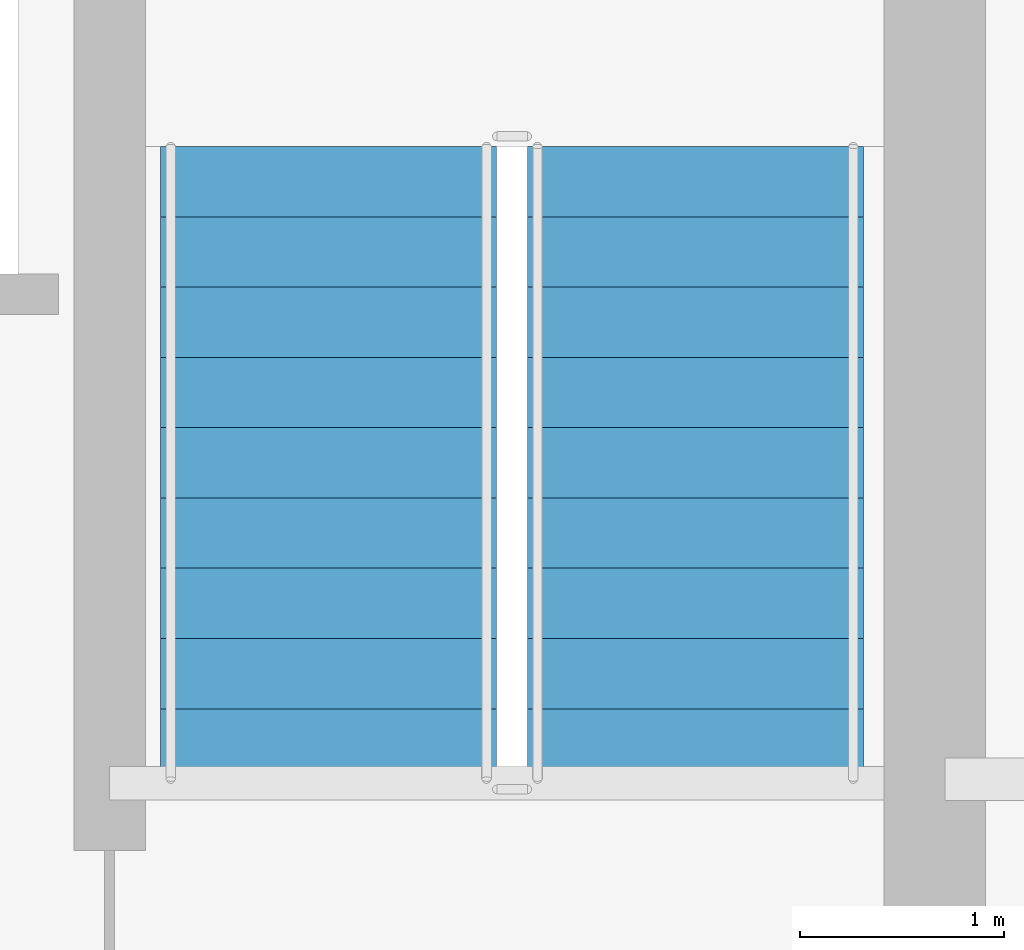
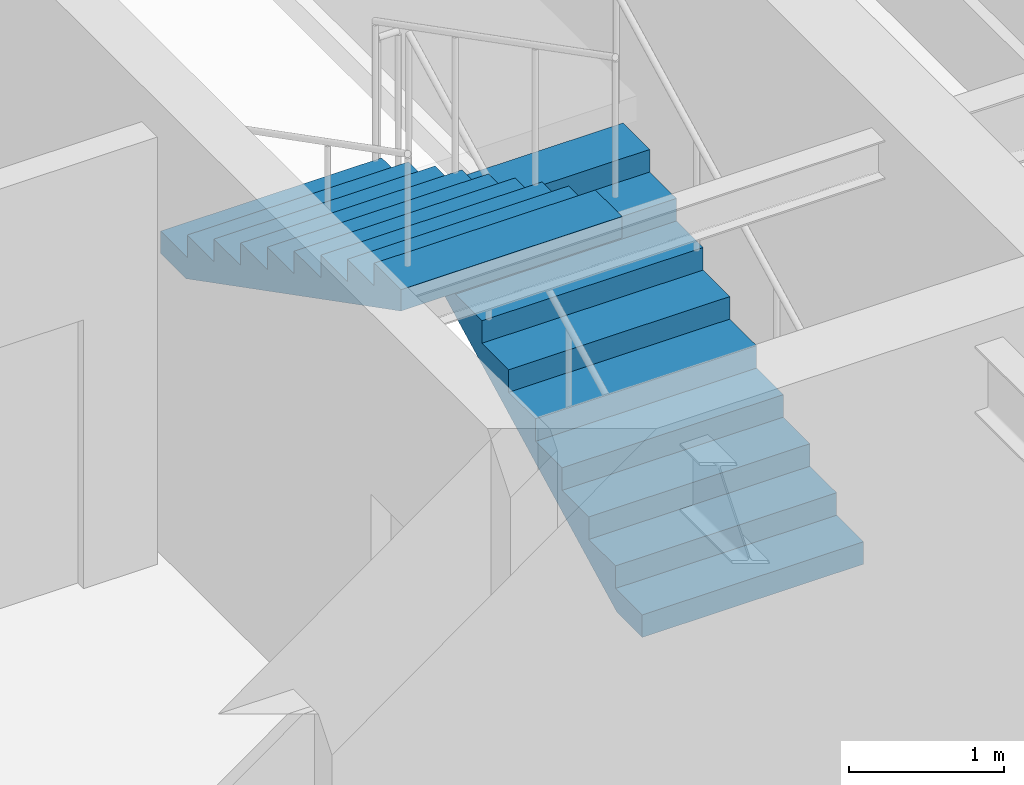
# One storey, part 17 of 18: 2 stair flights, 1 element without a shape of its own.
"""IFC4 building model written with IfcOpenShell, lengths in metres."""

from ifc_helpers import new_model, si_unit, direction, frame, origin, place, context, subcontext, project, spatial, polyline, outline, extrude, material, type_object, element, aggregate, save


model = new_model("IFC4")

# Units and contexts
model_context = context("Model", 3, precision=1e-05, world=origin(), true_north=direction((0.0, 1.0)))
body_context = subcontext(model_context, "Body", "Model", "MODEL_VIEW")
ifc_project = project(units=[si_unit("LENGTHUNIT", "METRE"), si_unit("AREAUNIT", "SQUARE_METRE"), si_unit("VOLUMEUNIT", "CUBIC_METRE"), si_unit("PLANEANGLEUNIT", "RADIAN"), si_unit("MASSUNIT", "GRAM", prefix="KILO")], contexts=[model_context])

# Site, building, storey
site_placement = place(None, origin())
site = spatial("IfcSite", under=ifc_project, at=site_placement, CompositionType="ELEMENT")
building_placement = place(site_placement, origin())
building = spatial("IfcBuilding", under=site, at=building_placement, Name="Tolvann Quenvar Hotel", CompositionType="ELEMENT")
storey_placement = place(building_placement, frame((0.0, 0.0, 245.199951171875)))
storey = spatial("IfcBuildingStorey", under=building, at=storey_placement, Name="L65", CompositionType="ELEMENT", Elevation=245.199951171875)

# Stair, stair flights
ifc_material = material(Name="Concrete N40 (40 MPa)", Category="concrete")
stair_type = type_object("IfcStairType", Name="STAIR", PredefinedType="HALF_TURN_STAIR", material=ifc_material)
stair_placement = place(storey_placement, origin())
stair = element("IfcStair", 1, at=stair_placement, inside=storey, type_object=stair_type, Name="L65 ST-C2", PredefinedType="HALF_TURN_STAIR")
stair_flight_type = type_object("IfcStairFlightType", Name="STAIR_FLIGHT", PredefinedType="STRAIGHT", material=ifc_material)
stair_flight_1_placement = place(storey_placement, frame((34.574951171875, 34.0, 0.0), z_axis=(0.0, 0.0, 1.0), x_axis=(0.0, 1.0, 0.0)))
stair_flight_1 = element("IfcStairFlight", 2, at=stair_flight_1_placement, type_object=stair_flight_type, Name="ST-C2 flight 1", NumberOfRisers=10, NumberOfTreads=9, PredefinedType="STRAIGHT", RiserHeight=0.1775, TreadLength=0.345, context=body_context, shape_type="SweptSolid", body=[
    extrude(outline(polyline([(0.0, 0.0), (0.0, 0.177490234375), (0.344970703125, 0.177490234375), (0.344970703125, 0.35498046875), (0.68994140625, 0.35498046875), (0.68994140625, 0.532470703125), (1.034912109375, 0.532470703125), (1.034912109375, 0.7099609375), (1.3798828125, 0.7099609375), (1.3798828125, 0.887451171875), (1.72509765625, 0.887451171875), (1.72509765625, 1.06494140625), (2.070068359375, 1.06494140625), (2.070068359375, 1.242431640625), (2.4150390625, 1.242431640625), (2.4150390625, 1.419921875), (2.760009765625, 1.419921875), (2.760009765625, 1.597412109375), (3.10498046875, 1.597412109375), (3.10498046875, 1.77490234375), (3.10498046875, 1.428955078125), (0.32763671875, 0.0), (0.0, 0.0)])), frame((0.0, 0.824951171875, 0.0), z_axis=(0.0, -1.0, 0.0), x_axis=(1.0, 0.0, 0.0)), (0.0, 0.0, 1.0), 1.64990234375),
])
stair_flight_2_placement = place(storey_placement, frame((32.77490234375, 37.10498046875, 1.775146484375), z_axis=(0.0, 0.0, 1.0), x_axis=(0.0, -1.0, 0.0)))
stair_flight_2 = element("IfcStairFlight", 3, at=stair_flight_2_placement, type_object=stair_flight_type, Name="ST-C2 flight 2", NumberOfRisers=10, NumberOfTreads=9, PredefinedType="STRAIGHT", RiserHeight=0.1775, TreadLength=0.345, context=body_context, shape_type="SweptSolid", body=[
    extrude(outline(polyline([(0.0, 0.0), (0.0, 0.177490234375), (0.344970703125, 0.177490234375), (0.344970703125, 0.35498046875), (0.68994140625, 0.35498046875), (0.68994140625, 0.532470703125), (1.034912109375, 0.532470703125), (1.034912109375, 0.7099609375), (1.3798828125, 0.7099609375), (1.3798828125, 0.887451171875), (1.72509765625, 0.887451171875), (1.72509765625, 1.06494140625), (2.070068359375, 1.06494140625), (2.070068359375, 1.242431640625), (2.4150390625, 1.242431640625), (2.4150390625, 1.419921875), (2.760009765625, 1.419921875), (2.760009765625, 1.597412109375), (3.10498046875, 1.597412109375), (3.10498046875, 1.77490234375), (3.10498046875, 1.428955078125), (0.32763671875, 0.0), (0.0, 0.0)])), frame((0.0, 0.824951171875, 0.0), z_axis=(0.0, -1.0, 0.0), x_axis=(1.0, 0.0, 0.0)), (0.0, 0.0, 1.0), 1.64990234375),
])
aggregate(stair, [stair_flight_1, stair_flight_2])

save(model, "model.ifc")
